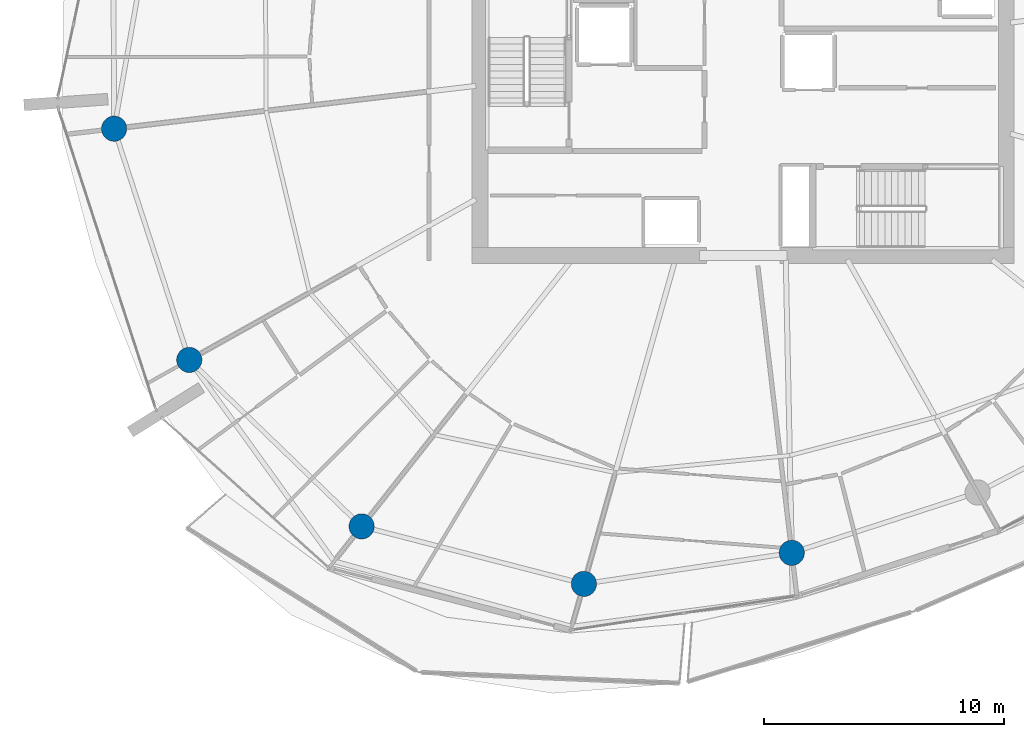
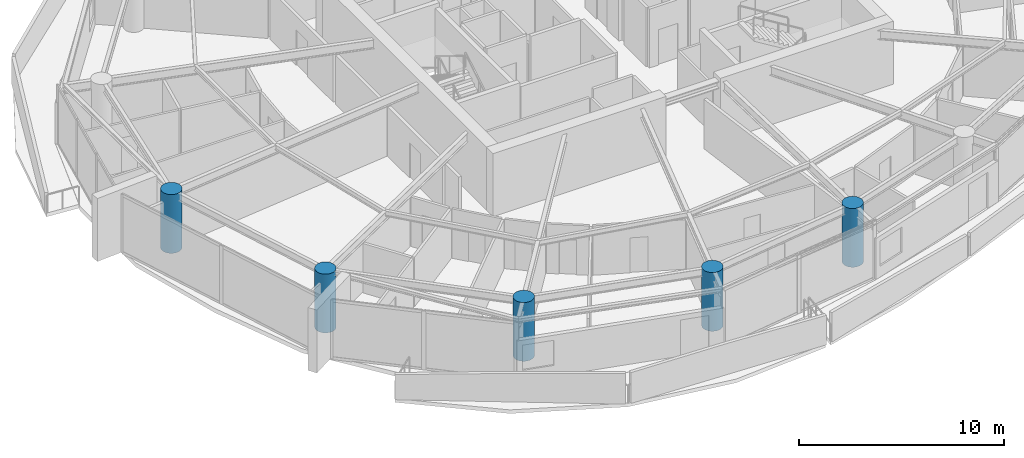
# One storey, part 1 of 20: 5 columns.
"""IFC4 building model written with IfcOpenShell, lengths in metres."""

from ifc_helpers import new_model, si_unit, direction, frame, origin, origin_2d, place, context, subcontext, project, spatial, circle, extrude, material, material_profile, profile_set, type_object, element, save


model = new_model("IFC4")

# Units and contexts
model_context = context("Model", 3, precision=1e-05, world=origin(), true_north=direction((0.0, 1.0)))
body_context = subcontext(model_context, "Body", "Model", "MODEL_VIEW")
ifc_project = project(units=[si_unit("LENGTHUNIT", "METRE"), si_unit("AREAUNIT", "SQUARE_METRE"), si_unit("VOLUMEUNIT", "CUBIC_METRE"), si_unit("PLANEANGLEUNIT", "RADIAN"), si_unit("MASSUNIT", "GRAM", prefix="KILO")], contexts=[model_context])

# Site, building, storey
site_placement = place(None, origin())
site = spatial("IfcSite", under=ifc_project, at=site_placement, CompositionType="ELEMENT")
building_placement = place(site_placement, origin())
building = spatial("IfcBuilding", under=site, at=building_placement, Name="Kazma Halo Residences", CompositionType="ELEMENT")
storey_placement = place(building_placement, frame((0.0, 0.0, 206.550048828125)))
storey = spatial("IfcBuildingStorey", under=building, at=storey_placement, Name="L52", CompositionType="ELEMENT", Elevation=206.550048828125)

# Columns
ifc_material = material(Name="Concrete C80/95", Category="concrete")
ifc_material_profile = material_profile(ifc_material, circle(Radius=0.52490234375, at=origin_2d()), Name="CIRC1050")
ifc_profile_set = profile_set([ifc_material_profile], Name="Concrete C80/95")
column_type = type_object("IfcColumnType", Name="COL-PERIM-1050", PredefinedType="COLUMN", material=ifc_profile_set)
for number, where, z_axis, x_axis, name in (
    (1, (22.248291015625, 38.9521484375, 0.0), (0.0, 0.0, 1.0), (1.0, 0.0, 0.0), "L52 perimeter ring column P08"),
    (2, (25.375, 29.329345703125, 0.0), (0.0, 0.0, 1.0), (1.0, 0.0, 0.0), "L52 perimeter ring column P09"),
    (3, (32.54931640625, 22.401123046875, 0.0), (0.0, 0.0, 1.0), (1.0, 0.0, 0.0), "L52 perimeter ring column P10"),
    (4, (41.797607421875, 20.00830078125, 0.0), (0.0, 0.0, 1.0), (1.0, 0.0, 0.0), "L52 perimeter ring column P11"),
    (5, (50.449951171875, 21.30029296875, 0.0), (0.0, 0.0, 1.0), (1.0, 0.0, 0.0), "L52 perimeter ring column P12"),
):
    element("IfcColumn", number, at=place(storey_placement, frame(where, z_axis=z_axis, x_axis=x_axis)), inside=storey, type_object=column_type, Name=name, PredefinedType="COLUMN", context=body_context, shape_type="SweptSolid", body=[
        extrude(circle(Radius=0.52490234375, at=origin_2d()), origin(), (0.0, 0.0, 1.0), 3.5),
    ])

save(model, "model.ifc")
